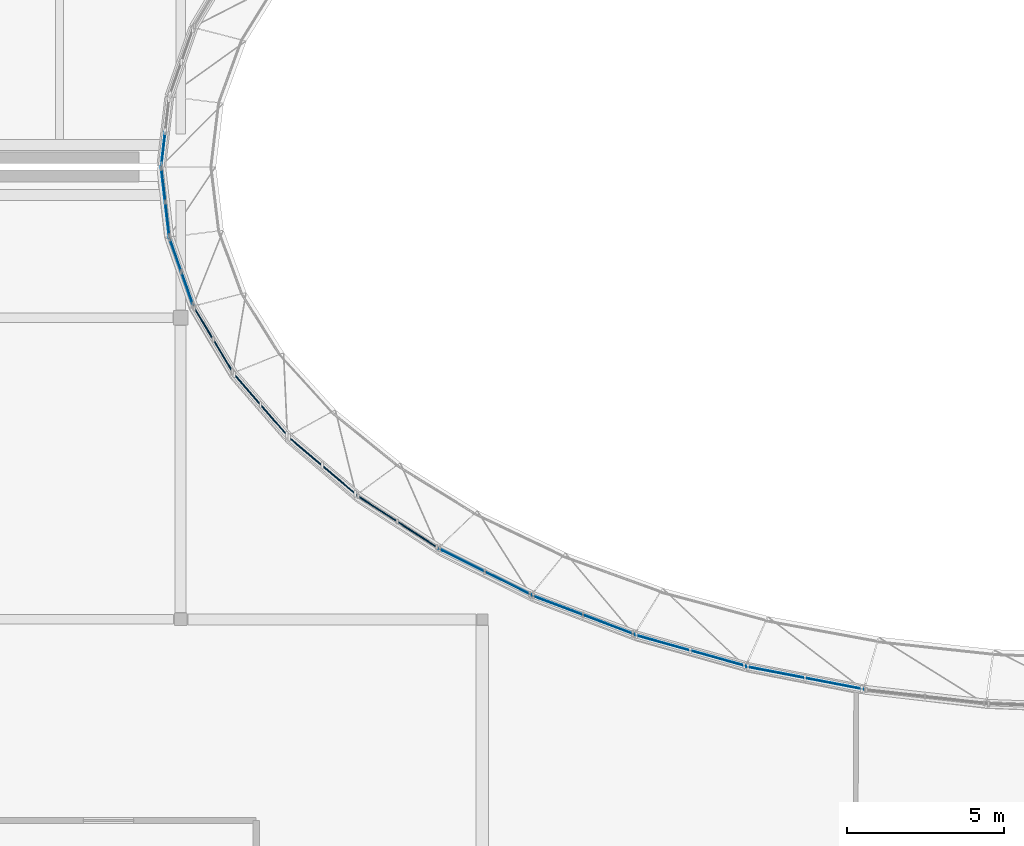
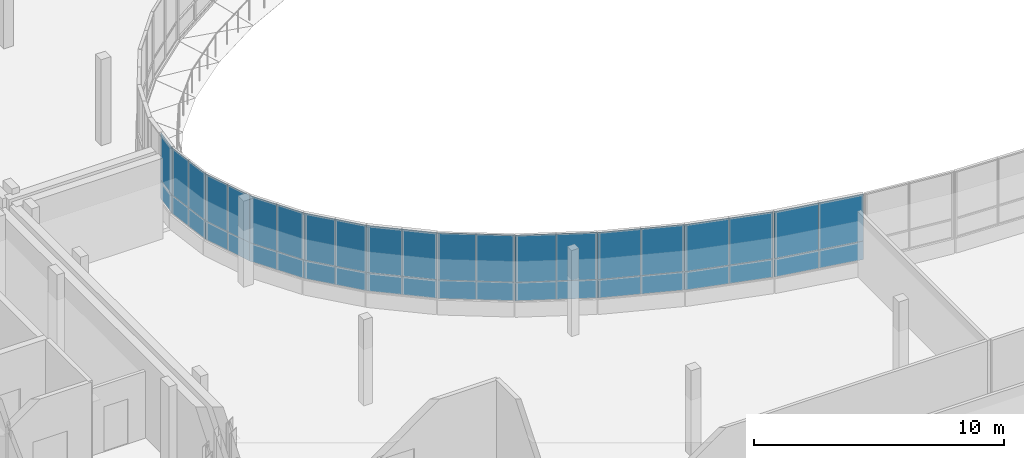
# One storey, part 29 of 73: 42 plates, 11 elements without a shape of their own.
"""IFC4 building model written with IfcOpenShell, lengths in metres."""

from ifc_helpers import new_model, si_unit, direction, frame, origin, origin_2d, place, context, subcontext, project, spatial, rectangle, extrude, material, layer, layer_set, type_object, element, aggregate, save


model = new_model("IFC4")

# Units and contexts
model_context = context("Model", 3, precision=1e-05, world=origin(), true_north=direction((0.0, 1.0)))
body_context = subcontext(model_context, "Body", "Model", "MODEL_VIEW")
ifc_project = project(units=[si_unit("LENGTHUNIT", "METRE"), si_unit("AREAUNIT", "SQUARE_METRE"), si_unit("VOLUMEUNIT", "CUBIC_METRE"), si_unit("PLANEANGLEUNIT", "RADIAN"), si_unit("MASSUNIT", "GRAM", prefix="KILO")], contexts=[model_context])

# Site, building, storey
site_placement = place(None, origin())
site = spatial("IfcSite", under=ifc_project, at=site_placement, CompositionType="ELEMENT")
building_placement = place(site_placement, origin())
building = spatial("IfcBuilding", under=site, at=building_placement, Name="Mzevani Central Library", CompositionType="ELEMENT")
storey_placement = place(building_placement, frame((0.0, 0.0, 9.60009765625)))
storey = spatial("IfcBuildingStorey", under=building, at=storey_placement, Name="L02", CompositionType="ELEMENT", Elevation=9.60009765625)

# Curtain wall, plate
ifc_material_1 = material(Name="Thermally broken aluminium and Low-E triple glazing", Category="aluminium")
curtain_wall_type_1 = type_object("IfcCurtainWallType", Name="Elliptical Court Unitised Curtain Wall", PredefinedType="NOTDEFINED", material=ifc_material_1)
curtain_wall_1_placement = place(storey_placement, origin())
curtain_wall_1 = element("IfcCurtainWall", 1, at=curtain_wall_1_placement, inside=storey, type_object=curtain_wall_type_1, Name="L02 Elliptical Court Curtain Wall 24", PredefinedType="NOTDEFINED")
ifc_material_2 = material(Name="Thermally broken aluminium AW-6060", Category="aluminium")
ifc_layer_1 = layer(ifc_material_2, 0.0419921875, Name="CW Insulated Spandrel Panel 42")
ifc_layer_set_1 = layer_set([ifc_layer_1], Name="Thermally broken aluminium AW-6060")
plate_type_1 = type_object("IfcPlateType", Name="CW Insulated Spandrel Panel 42", PredefinedType="CURTAIN_PANEL", material=ifc_layer_set_1)
plate_1_placement = place(storey_placement, frame((53.84423828125, 76.563232421875, 0.719970703125), z_axis=(0.0, 0.0, 1.0), x_axis=(-0.114794980787, -0.993389204887, 0.0)))
plate_1 = element("IfcPlate", 2, at=plate_1_placement, type_object=plate_type_1, Name="L02 Elliptical Court Curtain Wall 24 Spandrel Panel 3", PredefinedType="CURTAIN_PANEL", context=body_context, shape_type="SweptSolid", body=[
    extrude(rectangle(XDim=1.11767578125, YDim=0.0419921875, at=origin_2d()), origin(), (0.0, 0.0, 1.0), 0.89990234375),
])

# Curtain wall, plates
curtain_wall_type_2 = type_object("IfcCurtainWallType", Name="Reading Hall Northlight Curtain Wall", PredefinedType="NOTDEFINED", material=ifc_material_1)
curtain_wall_2_placement = place(storey_placement, origin())
curtain_wall_2 = element("IfcCurtainWall", 3, at=curtain_wall_2_placement, inside=storey, type_object=curtain_wall_type_2, Name="L02 Elliptical Court Curtain Wall 25", PredefinedType="NOTDEFINED")
plate_2_placement = place(storey_placement, frame((53.84423828125, 75.436767578125, 0.719970703125), z_axis=(0.0, 0.0, 1.0), x_axis=(0.114794980787, -0.993389204887, 0.0)))
plate_2 = element("IfcPlate", 4, at=plate_2_placement, type_object=plate_type_1, Name="L02 Elliptical Court Curtain Wall 25 Spandrel Panel 1", PredefinedType="CURTAIN_PANEL", context=body_context, shape_type="SweptSolid", body=[
    extrude(rectangle(XDim=1.11767578125, YDim=0.0419921875, at=origin_2d()), origin(), (0.0, 0.0, 1.0), 0.89990234375),
])
plate_3_placement = place(storey_placement, frame((53.97265625, 74.326416015625, 0.719970703125), z_axis=(0.0, 0.0, 1.0), x_axis=(0.114794980787, -0.993389204887, 0.0)))
plate_3 = element("IfcPlate", 5, at=plate_3_placement, type_object=plate_type_1, Name="L02 Elliptical Court Curtain Wall 25 Spandrel Panel 3", PredefinedType="CURTAIN_PANEL", context=body_context, shape_type="SweptSolid", body=[
    extrude(rectangle(XDim=1.11767578125, YDim=0.0419921875, at=origin_2d()), origin(), (0.0, 0.0, 1.0), 0.89990234375),
])

curtain_wall_3_placement = place(storey_placement, origin())
curtain_wall_3 = element("IfcCurtainWall", 6, at=curtain_wall_3_placement, inside=storey, type_object=curtain_wall_type_1, Name="L02 Elliptical Court Curtain Wall 26", PredefinedType="NOTDEFINED")
plate_4_placement = place(storey_placement, frame((54.2294921875, 73.209228515625, 0.719970703125), z_axis=(0.0, 0.0, 1.0), x_axis=(0.331001932634, -0.943630076138, 0.0)))
plate_4 = element("IfcPlate", 7, at=plate_4_placement, type_object=plate_type_1, Name="L02 Elliptical Court Curtain Wall 26 Spandrel Panel 1", PredefinedType="CURTAIN_PANEL", context=body_context, shape_type="SweptSolid", body=[
    extrude(rectangle(XDim=1.156494140625, YDim=0.0419921875, at=origin_2d()), origin(), (0.0, 0.0, 1.0), 0.89990234375),
])
plate_5_placement = place(storey_placement, frame((54.6123046875, 72.117919921875, 0.719970703125), z_axis=(0.0, 0.0, 1.0), x_axis=(0.331001932634, -0.943630076138, 0.0)))
plate_5 = element("IfcPlate", 8, at=plate_5_placement, type_object=plate_type_1, Name="L02 Elliptical Court Curtain Wall 26 Spandrel Panel 3", PredefinedType="CURTAIN_PANEL", context=body_context, shape_type="SweptSolid", body=[
    extrude(rectangle(XDim=1.156494140625, YDim=0.0419921875, at=origin_2d()), origin(), (0.0, 0.0, 1.0), 0.89990234375),
])

curtain_wall_4_placement = place(storey_placement, origin())
curtain_wall_4 = element("IfcCurtainWall", 9, at=curtain_wall_4_placement, inside=storey, type_object=curtain_wall_type_1, Name="L02 Elliptical Court Curtain Wall 27", PredefinedType="NOTDEFINED")
plate_6_placement = place(storey_placement, frame((55.12158203125, 71.028564453125, 0.719970703125), z_axis=(0.0, 0.0, 1.0), x_axis=(0.513620622967, -0.858017398228, 0.0)))
plate_6 = element("IfcPlate", 10, at=plate_6_placement, type_object=plate_type_1, Name="L02 Elliptical Court Curtain Wall 27 Spandrel Panel 1", PredefinedType="CURTAIN_PANEL", context=body_context, shape_type="SweptSolid", body=[
    extrude(rectangle(XDim=1.227783203125, YDim=0.0419921875, at=origin_2d()), origin(), (0.0, 0.0, 1.0), 0.89990234375),
])
plate_7_placement = place(storey_placement, frame((55.752197265625, 69.974853515625, 0.719970703125), z_axis=(0.0, 0.0, 1.0), x_axis=(0.513620622967, -0.858017398228, 0.0)))
plate_7 = element("IfcPlate", 11, at=plate_7_placement, type_object=plate_type_1, Name="L02 Elliptical Court Curtain Wall 27 Spandrel Panel 3", PredefinedType="CURTAIN_PANEL", context=body_context, shape_type="SweptSolid", body=[
    extrude(rectangle(XDim=1.227783203125, YDim=0.0419921875, at=origin_2d()), origin(), (0.0, 0.0, 1.0), 0.89990234375),
])

curtain_wall_5_placement = place(storey_placement, origin())
curtain_wall_5 = element("IfcCurtainWall", 12, at=curtain_wall_5_placement, inside=storey, type_object=curtain_wall_type_2, Name="L02 Elliptical Court Curtain Wall 28", PredefinedType="NOTDEFINED")
plate_8_placement = place(storey_placement, frame((56.505615234375, 68.931396484375, 0.719970703125), z_axis=(0.0, 0.0, 1.0), x_axis=(0.656226299394, -0.754564141729, 0.0)))
plate_8 = element("IfcPlate", 13, at=plate_8_placement, type_object=plate_type_1, Name="L02 Elliptical Court Curtain Wall 28 Spandrel Panel 1", PredefinedType="CURTAIN_PANEL", context=body_context, shape_type="SweptSolid", body=[
    extrude(rectangle(XDim=1.322509765625, YDim=0.0419921875, at=origin_2d()), origin(), (0.0, 0.0, 1.0), 0.89990234375),
])
plate_9_placement = place(storey_placement, frame((57.37353515625, 67.93359375, 0.719970703125), z_axis=(0.0, 0.0, 1.0), x_axis=(0.656226299394, -0.754564141729, 0.0)))
plate_9 = element("IfcPlate", 14, at=plate_9_placement, type_object=plate_type_1, Name="L02 Elliptical Court Curtain Wall 28 Spandrel Panel 3", PredefinedType="CURTAIN_PANEL", context=body_context, shape_type="SweptSolid", body=[
    extrude(rectangle(XDim=1.322509765625, YDim=0.0419921875, at=origin_2d()), origin(), (0.0, 0.0, 1.0), 0.89990234375),
])

curtain_wall_6_placement = place(storey_placement, origin())
curtain_wall_6 = element("IfcCurtainWall", 15, at=curtain_wall_6_placement, inside=storey, type_object=curtain_wall_type_1, Name="L02 Elliptical Court Curtain Wall 29", PredefinedType="NOTDEFINED")
plate_10_placement = place(storey_placement, frame((58.358642578125, 66.953369140625, 0.719970703125), z_axis=(0.0, 0.0, 1.0), x_axis=(0.762434605675, -0.647065276514, 0.0)))
plate_10 = element("IfcPlate", 16, at=plate_10_placement, type_object=plate_type_1, Name="L02 Elliptical Court Curtain Wall 29 Spandrel Panel 1", PredefinedType="CURTAIN_PANEL", context=body_context, shape_type="SweptSolid", body=[
    extrude(rectangle(XDim=1.4296875, YDim=0.0419921875, at=origin_2d()), origin(), (0.0, 0.0, 1.0), 0.89990234375),
])
plate_11_placement = place(storey_placement, frame((59.44873046875, 66.028076171875, 0.719970703125), z_axis=(0.0, 0.0, 1.0), x_axis=(0.762434605675, -0.647065276514, 0.0)))
plate_11 = element("IfcPlate", 17, at=plate_11_placement, type_object=plate_type_1, Name="L02 Elliptical Court Curtain Wall 29 Spandrel Panel 3", PredefinedType="CURTAIN_PANEL", context=body_context, shape_type="SweptSolid", body=[
    extrude(rectangle(XDim=1.4296875, YDim=0.0419921875, at=origin_2d()), origin(), (0.0, 0.0, 1.0), 0.89990234375),
])

curtain_wall_7_placement = place(storey_placement, origin())
curtain_wall_7 = element("IfcCurtainWall", 18, at=curtain_wall_7_placement, inside=storey, type_object=curtain_wall_type_1, Name="L02 Elliptical Court Curtain Wall 30", PredefinedType="NOTDEFINED")
plate_12_placement = place(storey_placement, frame((60.649169921875, 65.12744140625, 0.719970703125), z_axis=(0.0, 0.0, 1.0), x_axis=(0.839732660597, -0.543000054076, 0.0)))
plate_12 = element("IfcPlate", 19, at=plate_12_placement, type_object=plate_type_1, Name="L02 Elliptical Court Curtain Wall 30 Spandrel Panel 1", PredefinedType="CURTAIN_PANEL", context=body_context, shape_type="SweptSolid", body=[
    extrude(rectangle(XDim=1.54052734375, YDim=0.0419921875, at=origin_2d()), origin(), (0.0, 0.0, 1.0), 0.89990234375),
])
plate_13_placement = place(storey_placement, frame((61.94287109375, 64.290771484375, 0.719970703125), z_axis=(0.0, 0.0, 1.0), x_axis=(0.839732660597, -0.543000054076, 0.0)))
plate_13 = element("IfcPlate", 20, at=plate_13_placement, type_object=plate_type_1, Name="L02 Elliptical Court Curtain Wall 30 Spandrel Panel 3", PredefinedType="CURTAIN_PANEL", context=body_context, shape_type="SweptSolid", body=[
    extrude(rectangle(XDim=1.54052734375, YDim=0.0419921875, at=origin_2d()), origin(), (0.0, 0.0, 1.0), 0.89990234375),
])

curtain_wall_8_placement = place(storey_placement, origin())
curtain_wall_8 = element("IfcCurtainWall", 21, at=curtain_wall_8_placement, inside=storey, type_object=curtain_wall_type_2, Name="L02 Elliptical Court Curtain Wall 31", PredefinedType="NOTDEFINED")
plate_14_placement = place(storey_placement, frame((63.339599609375, 63.484130859375, 0.719970703125), z_axis=(0.0, 0.0, 1.0), x_axis=(0.89539024804, -0.445282274198, 0.0)))
plate_14 = element("IfcPlate", 22, at=plate_14_placement, type_object=plate_type_1, Name="L02 Elliptical Court Curtain Wall 31 Spandrel Panel 1", PredefinedType="CURTAIN_PANEL", context=body_context, shape_type="SweptSolid", body=[
    extrude(rectangle(XDim=1.6474609375, YDim=0.0419921875, at=origin_2d()), origin(), (0.0, 0.0, 1.0), 0.89990234375),
])
plate_15_placement = place(storey_placement, frame((64.81494140625, 62.75048828125, 0.719970703125), z_axis=(0.0, 0.0, 1.0), x_axis=(0.89539024804, -0.445282274198, 0.0)))
plate_15 = element("IfcPlate", 23, at=plate_15_placement, type_object=plate_type_1, Name="L02 Elliptical Court Curtain Wall 31 Spandrel Panel 3", PredefinedType="CURTAIN_PANEL", context=body_context, shape_type="SweptSolid", body=[
    extrude(rectangle(XDim=1.6474609375, YDim=0.0419921875, at=origin_2d()), origin(), (0.0, 0.0, 1.0), 0.89990234375),
])

curtain_wall_9_placement = place(storey_placement, origin())
curtain_wall_9 = element("IfcCurtainWall", 24, at=curtain_wall_9_placement, inside=storey, type_object=curtain_wall_type_1, Name="L02 Elliptical Court Curtain Wall 32", PredefinedType="NOTDEFINED")
plate_16_placement = place(storey_placement, frame((66.385009765625, 62.0517578125, 0.719970703125), z_axis=(0.0, 0.0, 1.0), x_axis=(0.935125934048, -0.354315519659, 0.0)))
plate_16 = element("IfcPlate", 25, at=plate_16_placement, type_object=plate_type_1, Name="L02 Elliptical Court Curtain Wall 32 Spandrel Panel 1", PredefinedType="CURTAIN_PANEL", context=body_context, shape_type="SweptSolid", body=[
    extrude(rectangle(XDim=1.74462890625, YDim=0.0419921875, at=origin_2d()), origin(), (0.0, 0.0, 1.0), 0.89990234375),
])
plate_17_placement = place(storey_placement, frame((68.0166015625, 61.43359375, 0.719970703125), z_axis=(0.0, 0.0, 1.0), x_axis=(0.935125934048, -0.354315519659, 0.0)))
plate_17 = element("IfcPlate", 26, at=plate_17_placement, type_object=plate_type_1, Name="L02 Elliptical Court Curtain Wall 32 Spandrel Panel 3", PredefinedType="CURTAIN_PANEL", context=body_context, shape_type="SweptSolid", body=[
    extrude(rectangle(XDim=1.74462890625, YDim=0.0419921875, at=origin_2d()), origin(), (0.0, 0.0, 1.0), 0.89990234375),
])

curtain_wall_10_placement = place(storey_placement, origin())
curtain_wall_10 = element("IfcCurtainWall", 27, at=curtain_wall_10_placement, inside=storey, type_object=curtain_wall_type_1, Name="L02 Elliptical Court Curtain Wall 33", PredefinedType="NOTDEFINED")
plate_18_placement = place(storey_placement, frame((69.735595703125, 60.854736328125, 0.719970703125), z_axis=(0.0, 0.0, 1.0), x_axis=(0.9630535978, -0.269309798865, 0.0)))
plate_18 = element("IfcPlate", 28, at=plate_18_placement, type_object=plate_type_1, Name="L02 Elliptical Court Curtain Wall 33 Spandrel Panel 1", PredefinedType="CURTAIN_PANEL", context=body_context, shape_type="SweptSolid", body=[
    extrude(rectangle(XDim=1.827392578125, YDim=0.0419921875, at=origin_2d()), origin(), (0.0, 0.0, 1.0), 0.89990234375),
])
plate_19_placement = place(storey_placement, frame((71.4951171875, 60.36279296875, 0.719970703125), z_axis=(0.0, 0.0, 1.0), x_axis=(0.9630535978, -0.269309798865, 0.0)))
plate_19 = element("IfcPlate", 29, at=plate_19_placement, type_object=plate_type_1, Name="L02 Elliptical Court Curtain Wall 33 Spandrel Panel 3", PredefinedType="CURTAIN_PANEL", context=body_context, shape_type="SweptSolid", body=[
    extrude(rectangle(XDim=1.827392578125, YDim=0.0419921875, at=origin_2d()), origin(), (0.0, 0.0, 1.0), 0.89990234375),
])

curtain_wall_11_placement = place(storey_placement, origin())
curtain_wall_11 = element("IfcCurtainWall", 30, at=curtain_wall_11_placement, inside=storey, type_object=curtain_wall_type_2, Name="L02 Elliptical Court Curtain Wall 34", PredefinedType="NOTDEFINED")
plate_20_placement = place(storey_placement, frame((73.33544921875, 59.9150390625, 0.719970703125), z_axis=(0.0, 0.0, 1.0), x_axis=(0.981971911656, -0.189026888879, 0.0)))
plate_20 = element("IfcPlate", 31, at=plate_20_placement, type_object=plate_type_1, Name="L02 Elliptical Court Curtain Wall 34 Spandrel Panel 1", PredefinedType="CURTAIN_PANEL", context=body_context, shape_type="SweptSolid", body=[
    extrude(rectangle(XDim=1.89208984375, YDim=0.0419921875, at=origin_2d()), origin(), (0.0, 0.0, 1.0), 0.89990234375),
])
plate_21_placement = place(storey_placement, frame((75.193359375, 59.557373046875, 0.719970703125), z_axis=(0.0, 0.0, 1.0), x_axis=(0.981971911656, -0.189026888879, 0.0)))
plate_21 = element("IfcPlate", 32, at=plate_21_placement, type_object=plate_type_1, Name="L02 Elliptical Court Curtain Wall 34 Spandrel Panel 3", PredefinedType="CURTAIN_PANEL", context=body_context, shape_type="SweptSolid", body=[
    extrude(rectangle(XDim=1.89208984375, YDim=0.0419921875, at=origin_2d()), origin(), (0.0, 0.0, 1.0), 0.89990234375),
])

# Plate
ifc_material_3 = material(Name="Low-E triple glazing glass", Category="glass")
ifc_layer_2 = layer(ifc_material_3, 0.028076171875, Name="CW Triple Glazed Vision Panel 28")
ifc_layer_set_2 = layer_set([ifc_layer_2], Name="Low-E triple glazing glass")
plate_type_2 = type_object("IfcPlateType", Name="CW Triple Glazed Vision Panel 28", PredefinedType="CURTAIN_PANEL", material=ifc_layer_set_2)
plate_22_placement = place(storey_placement, frame((53.84423828125, 76.563232421875, 1.6201171875), z_axis=(0.0, 0.0, 1.0), x_axis=(-0.114794980787, -0.993389204887, 0.0)))
plate_22 = element("IfcPlate", 33, at=plate_22_placement, type_object=plate_type_2, Name="L02 Elliptical Court Curtain Wall 24 Vision Panel 4", PredefinedType="CURTAIN_PANEL", context=body_context, shape_type="SweptSolid", body=[
    extrude(rectangle(XDim=1.11767578125, YDim=0.028076171875, at=origin_2d()), origin(), (0.0, 0.0, 1.0), 2.300048828125),
])

aggregate(curtain_wall_1, [plate_1, plate_22])

plate_23_placement = place(storey_placement, frame((53.84423828125, 75.436767578125, 1.6201171875), z_axis=(0.0, 0.0, 1.0), x_axis=(0.114794980787, -0.993389204887, 0.0)))
plate_23 = element("IfcPlate", 34, at=plate_23_placement, type_object=plate_type_2, Name="L02 Elliptical Court Curtain Wall 25 Vision Panel 2", PredefinedType="CURTAIN_PANEL", context=body_context, shape_type="SweptSolid", body=[
    extrude(rectangle(XDim=1.11767578125, YDim=0.028076171875, at=origin_2d()), origin(), (0.0, 0.0, 1.0), 2.300048828125),
])

plate_24_placement = place(storey_placement, frame((53.97265625, 74.326416015625, 1.6201171875), z_axis=(0.0, 0.0, 1.0), x_axis=(0.114794980787, -0.993389204887, 0.0)))
plate_24 = element("IfcPlate", 35, at=plate_24_placement, type_object=plate_type_2, Name="L02 Elliptical Court Curtain Wall 25 Vision Panel 4", PredefinedType="CURTAIN_PANEL", context=body_context, shape_type="SweptSolid", body=[
    extrude(rectangle(XDim=1.11767578125, YDim=0.028076171875, at=origin_2d()), origin(), (0.0, 0.0, 1.0), 2.300048828125),
])

aggregate(curtain_wall_2, [plate_2, plate_23, plate_3, plate_24])

plate_25_placement = place(storey_placement, frame((54.2294921875, 73.209228515625, 1.6201171875), z_axis=(0.0, 0.0, 1.0), x_axis=(0.331001932634, -0.943630076138, 0.0)))
plate_25 = element("IfcPlate", 36, at=plate_25_placement, type_object=plate_type_2, Name="L02 Elliptical Court Curtain Wall 26 Vision Panel 2", PredefinedType="CURTAIN_PANEL", context=body_context, shape_type="SweptSolid", body=[
    extrude(rectangle(XDim=1.156494140625, YDim=0.028076171875, at=origin_2d()), origin(), (0.0, 0.0, 1.0), 2.300048828125),
])

plate_26_placement = place(storey_placement, frame((54.6123046875, 72.117919921875, 1.6201171875), z_axis=(0.0, 0.0, 1.0), x_axis=(0.331001932634, -0.943630076138, 0.0)))
plate_26 = element("IfcPlate", 37, at=plate_26_placement, type_object=plate_type_2, Name="L02 Elliptical Court Curtain Wall 26 Vision Panel 4", PredefinedType="CURTAIN_PANEL", context=body_context, shape_type="SweptSolid", body=[
    extrude(rectangle(XDim=1.156494140625, YDim=0.028076171875, at=origin_2d()), origin(), (0.0, 0.0, 1.0), 2.300048828125),
])

aggregate(curtain_wall_3, [plate_4, plate_25, plate_5, plate_26])

plate_27_placement = place(storey_placement, frame((55.12158203125, 71.028564453125, 1.6201171875), z_axis=(0.0, 0.0, 1.0), x_axis=(0.513620622967, -0.858017398228, 0.0)))
plate_27 = element("IfcPlate", 38, at=plate_27_placement, type_object=plate_type_2, Name="L02 Elliptical Court Curtain Wall 27 Vision Panel 2", PredefinedType="CURTAIN_PANEL", context=body_context, shape_type="SweptSolid", body=[
    extrude(rectangle(XDim=1.227783203125, YDim=0.028076171875, at=origin_2d()), origin(), (0.0, 0.0, 1.0), 2.300048828125),
])

plate_28_placement = place(storey_placement, frame((55.752197265625, 69.974853515625, 1.6201171875), z_axis=(0.0, 0.0, 1.0), x_axis=(0.513620622967, -0.858017398228, 0.0)))
plate_28 = element("IfcPlate", 39, at=plate_28_placement, type_object=plate_type_2, Name="L02 Elliptical Court Curtain Wall 27 Vision Panel 4", PredefinedType="CURTAIN_PANEL", context=body_context, shape_type="SweptSolid", body=[
    extrude(rectangle(XDim=1.227783203125, YDim=0.028076171875, at=origin_2d()), origin(), (0.0, 0.0, 1.0), 2.300048828125),
])

aggregate(curtain_wall_4, [plate_6, plate_27, plate_7, plate_28])

plate_29_placement = place(storey_placement, frame((56.505615234375, 68.931396484375, 1.6201171875), z_axis=(0.0, 0.0, 1.0), x_axis=(0.656226299394, -0.754564141729, 0.0)))
plate_29 = element("IfcPlate", 40, at=plate_29_placement, type_object=plate_type_2, Name="L02 Elliptical Court Curtain Wall 28 Vision Panel 2", PredefinedType="CURTAIN_PANEL", context=body_context, shape_type="SweptSolid", body=[
    extrude(rectangle(XDim=1.322509765625, YDim=0.028076171875, at=origin_2d()), origin(), (0.0, 0.0, 1.0), 2.300048828125),
])

plate_30_placement = place(storey_placement, frame((57.37353515625, 67.93359375, 1.6201171875), z_axis=(0.0, 0.0, 1.0), x_axis=(0.656226299394, -0.754564141729, 0.0)))
plate_30 = element("IfcPlate", 41, at=plate_30_placement, type_object=plate_type_2, Name="L02 Elliptical Court Curtain Wall 28 Vision Panel 4", PredefinedType="CURTAIN_PANEL", context=body_context, shape_type="SweptSolid", body=[
    extrude(rectangle(XDim=1.322509765625, YDim=0.028076171875, at=origin_2d()), origin(), (0.0, 0.0, 1.0), 2.300048828125),
])

aggregate(curtain_wall_5, [plate_8, plate_29, plate_9, plate_30])

plate_31_placement = place(storey_placement, frame((58.358642578125, 66.953369140625, 1.6201171875), z_axis=(0.0, 0.0, 1.0), x_axis=(0.762434605675, -0.647065276514, 0.0)))
plate_31 = element("IfcPlate", 42, at=plate_31_placement, type_object=plate_type_2, Name="L02 Elliptical Court Curtain Wall 29 Vision Panel 2", PredefinedType="CURTAIN_PANEL", context=body_context, shape_type="SweptSolid", body=[
    extrude(rectangle(XDim=1.4296875, YDim=0.028076171875, at=origin_2d()), origin(), (0.0, 0.0, 1.0), 2.300048828125),
])

plate_32_placement = place(storey_placement, frame((59.44873046875, 66.028076171875, 1.6201171875), z_axis=(0.0, 0.0, 1.0), x_axis=(0.762434605675, -0.647065276514, 0.0)))
plate_32 = element("IfcPlate", 43, at=plate_32_placement, type_object=plate_type_2, Name="L02 Elliptical Court Curtain Wall 29 Vision Panel 4", PredefinedType="CURTAIN_PANEL", context=body_context, shape_type="SweptSolid", body=[
    extrude(rectangle(XDim=1.4296875, YDim=0.028076171875, at=origin_2d()), origin(), (0.0, 0.0, 1.0), 2.300048828125),
])

aggregate(curtain_wall_6, [plate_10, plate_31, plate_11, plate_32])

plate_33_placement = place(storey_placement, frame((60.649169921875, 65.12744140625, 1.6201171875), z_axis=(0.0, 0.0, 1.0), x_axis=(0.839732660597, -0.543000054076, 0.0)))
plate_33 = element("IfcPlate", 44, at=plate_33_placement, type_object=plate_type_2, Name="L02 Elliptical Court Curtain Wall 30 Vision Panel 2", PredefinedType="CURTAIN_PANEL", context=body_context, shape_type="SweptSolid", body=[
    extrude(rectangle(XDim=1.54052734375, YDim=0.028076171875, at=origin_2d()), origin(), (0.0, 0.0, 1.0), 2.300048828125),
])

plate_34_placement = place(storey_placement, frame((61.94287109375, 64.290771484375, 1.6201171875), z_axis=(0.0, 0.0, 1.0), x_axis=(0.839732660597, -0.543000054076, 0.0)))
plate_34 = element("IfcPlate", 45, at=plate_34_placement, type_object=plate_type_2, Name="L02 Elliptical Court Curtain Wall 30 Vision Panel 4", PredefinedType="CURTAIN_PANEL", context=body_context, shape_type="SweptSolid", body=[
    extrude(rectangle(XDim=1.54052734375, YDim=0.028076171875, at=origin_2d()), origin(), (0.0, 0.0, 1.0), 2.300048828125),
])

aggregate(curtain_wall_7, [plate_12, plate_33, plate_13, plate_34])

plate_35_placement = place(storey_placement, frame((63.339599609375, 63.484130859375, 1.6201171875), z_axis=(0.0, 0.0, 1.0), x_axis=(0.89539024804, -0.445282274198, 0.0)))
plate_35 = element("IfcPlate", 46, at=plate_35_placement, type_object=plate_type_2, Name="L02 Elliptical Court Curtain Wall 31 Vision Panel 2", PredefinedType="CURTAIN_PANEL", context=body_context, shape_type="SweptSolid", body=[
    extrude(rectangle(XDim=1.6474609375, YDim=0.028076171875, at=origin_2d()), origin(), (0.0, 0.0, 1.0), 2.300048828125),
])

plate_36_placement = place(storey_placement, frame((64.81494140625, 62.75048828125, 1.6201171875), z_axis=(0.0, 0.0, 1.0), x_axis=(0.89539024804, -0.445282274198, 0.0)))
plate_36 = element("IfcPlate", 47, at=plate_36_placement, type_object=plate_type_2, Name="L02 Elliptical Court Curtain Wall 31 Vision Panel 4", PredefinedType="CURTAIN_PANEL", context=body_context, shape_type="SweptSolid", body=[
    extrude(rectangle(XDim=1.6474609375, YDim=0.028076171875, at=origin_2d()), origin(), (0.0, 0.0, 1.0), 2.300048828125),
])

aggregate(curtain_wall_8, [plate_14, plate_35, plate_15, plate_36])

plate_37_placement = place(storey_placement, frame((66.385009765625, 62.0517578125, 1.6201171875), z_axis=(0.0, 0.0, 1.0), x_axis=(0.935125934048, -0.354315519659, 0.0)))
plate_37 = element("IfcPlate", 48, at=plate_37_placement, type_object=plate_type_2, Name="L02 Elliptical Court Curtain Wall 32 Vision Panel 2", PredefinedType="CURTAIN_PANEL", context=body_context, shape_type="SweptSolid", body=[
    extrude(rectangle(XDim=1.74462890625, YDim=0.028076171875, at=origin_2d()), origin(), (0.0, 0.0, 1.0), 2.300048828125),
])

plate_38_placement = place(storey_placement, frame((68.0166015625, 61.43359375, 1.6201171875), z_axis=(0.0, 0.0, 1.0), x_axis=(0.935125934048, -0.354315519659, 0.0)))
plate_38 = element("IfcPlate", 49, at=plate_38_placement, type_object=plate_type_2, Name="L02 Elliptical Court Curtain Wall 32 Vision Panel 4", PredefinedType="CURTAIN_PANEL", context=body_context, shape_type="SweptSolid", body=[
    extrude(rectangle(XDim=1.74462890625, YDim=0.028076171875, at=origin_2d()), origin(), (0.0, 0.0, 1.0), 2.300048828125),
])

aggregate(curtain_wall_9, [plate_16, plate_37, plate_17, plate_38])

plate_39_placement = place(storey_placement, frame((69.735595703125, 60.854736328125, 1.6201171875), z_axis=(0.0, 0.0, 1.0), x_axis=(0.9630535978, -0.269309798865, 0.0)))
plate_39 = element("IfcPlate", 50, at=plate_39_placement, type_object=plate_type_2, Name="L02 Elliptical Court Curtain Wall 33 Vision Panel 2", PredefinedType="CURTAIN_PANEL", context=body_context, shape_type="SweptSolid", body=[
    extrude(rectangle(XDim=1.827392578125, YDim=0.028076171875, at=origin_2d()), origin(), (0.0, 0.0, 1.0), 2.300048828125),
])

plate_40_placement = place(storey_placement, frame((71.4951171875, 60.36279296875, 1.6201171875), z_axis=(0.0, 0.0, 1.0), x_axis=(0.9630535978, -0.269309798865, 0.0)))
plate_40 = element("IfcPlate", 51, at=plate_40_placement, type_object=plate_type_2, Name="L02 Elliptical Court Curtain Wall 33 Vision Panel 4", PredefinedType="CURTAIN_PANEL", context=body_context, shape_type="SweptSolid", body=[
    extrude(rectangle(XDim=1.827392578125, YDim=0.028076171875, at=origin_2d()), origin(), (0.0, 0.0, 1.0), 2.300048828125),
])

aggregate(curtain_wall_10, [plate_18, plate_39, plate_19, plate_40])

plate_41_placement = place(storey_placement, frame((73.33544921875, 59.9150390625, 1.6201171875), z_axis=(0.0, 0.0, 1.0), x_axis=(0.981971911656, -0.189026888879, 0.0)))
plate_41 = element("IfcPlate", 52, at=plate_41_placement, type_object=plate_type_2, Name="L02 Elliptical Court Curtain Wall 34 Vision Panel 2", PredefinedType="CURTAIN_PANEL", context=body_context, shape_type="SweptSolid", body=[
    extrude(rectangle(XDim=1.89208984375, YDim=0.028076171875, at=origin_2d()), origin(), (0.0, 0.0, 1.0), 2.300048828125),
])

plate_42_placement = place(storey_placement, frame((75.193359375, 59.557373046875, 1.6201171875), z_axis=(0.0, 0.0, 1.0), x_axis=(0.981971911656, -0.189026888879, 0.0)))
plate_42 = element("IfcPlate", 53, at=plate_42_placement, type_object=plate_type_2, Name="L02 Elliptical Court Curtain Wall 34 Vision Panel 4", PredefinedType="CURTAIN_PANEL", context=body_context, shape_type="SweptSolid", body=[
    extrude(rectangle(XDim=1.89208984375, YDim=0.028076171875, at=origin_2d()), origin(), (0.0, 0.0, 1.0), 2.300048828125),
])

aggregate(curtain_wall_11, [plate_20, plate_41, plate_21, plate_42])

save(model, "model.ifc")
